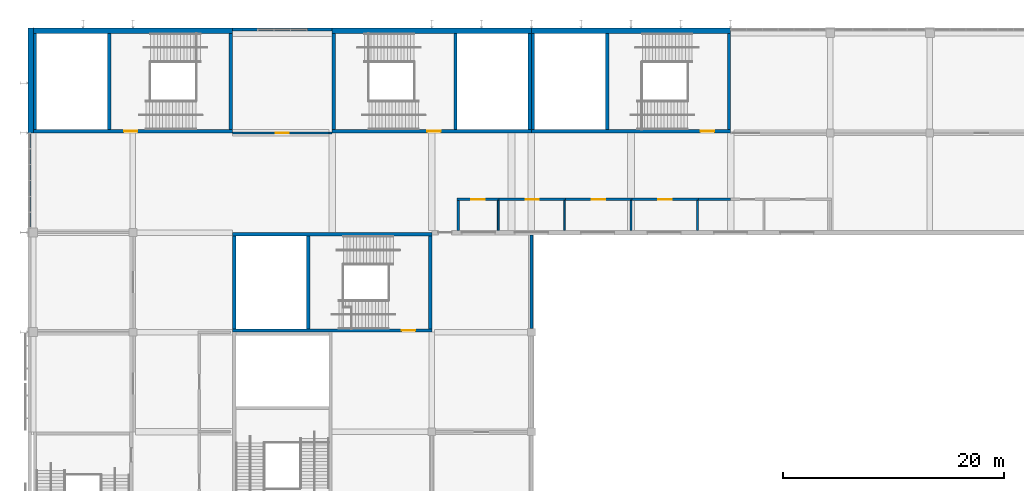
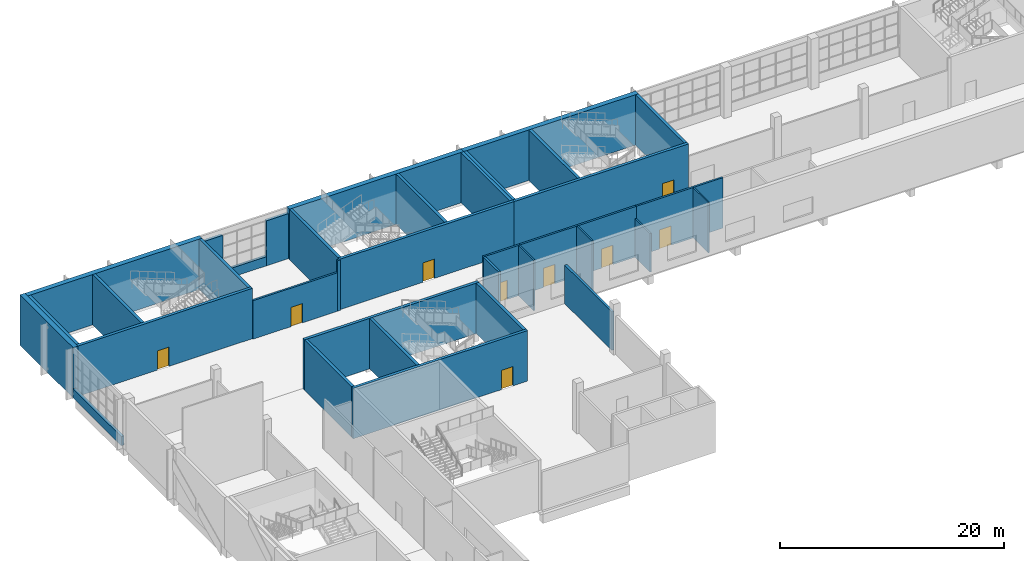
# One storey, part 38 of 84: 38 walls, 9 doors, 9 openings.
"""IFC4 building model written with IfcOpenShell, lengths in metres."""

from ifc_helpers import new_model, si_unit, direction, frame, frame_2d, origin, place, context, subcontext, project, spatial, rectangle, extrude, material, layer, layer_set, type_object, element, fill, save


model = new_model("IFC4")

# Units and contexts
model_context = context("Model", 3, precision=1e-05, world=origin(), true_north=direction((0.0, 1.0)))
body_context = subcontext(model_context, "Body", "Model", "MODEL_VIEW")
ifc_project = project(units=[si_unit("LENGTHUNIT", "METRE"), si_unit("AREAUNIT", "SQUARE_METRE"), si_unit("VOLUMEUNIT", "CUBIC_METRE"), si_unit("PLANEANGLEUNIT", "RADIAN"), si_unit("MASSUNIT", "GRAM", prefix="KILO")], contexts=[model_context])

# Site, building, storey
site_placement = place(None, origin())
site = spatial("IfcSite", under=ifc_project, at=site_placement, CompositionType="ELEMENT")
building_placement = place(site_placement, origin())
building = spatial("IfcBuilding", under=site, at=building_placement, Name="Silverbay Arena", CompositionType="ELEMENT")
storey_placement = place(building_placement, frame((0.0, 0.0, 28.0)))
storey = spatial("IfcBuildingStorey", under=building, at=storey_placement, Name="L04", CompositionType="ELEMENT", Elevation=28.0)

# Walls
ifc_material_1 = material(Name="Anodised aluminium cladding on insulated backing", Category="aluminium")
ifc_layer_1 = layer(ifc_material_1, 0.300048828125)
ifc_layer_set_1 = layer_set([ifc_layer_1], Name="Anodised aluminium cladding on insulated backing")
wall_type_1 = type_object("IfcWallType", Name="Aluminium clad wall 300", PredefinedType="SOLIDWALL", material=ifc_layer_set_1)
for number, where, z_axis, x_axis, name in (
    (1, (74.25, 144.35009765625, 0.0), (0.0, 0.0, 1.0), (-1.0, 0.0, 0.0), "North external wall L04 bay 3 pier"),
    (2, (81.0, 144.35009765625, 0.0), (0.0, 0.0, 1.0), (-1.0, 0.0, 0.0), "North external wall L04 bay 3 pier"),
):
    element("IfcWall", number, at=place(storey_placement, frame(where, z_axis=z_axis, x_axis=x_axis)), inside=storey, type_object=wall_type_1, Name=name, PredefinedType="SOLIDWALL", context=body_context, shape_type="SweptSolid", body=[
        extrude(rectangle(XDim=2.25, YDim=0.300048828125, at=frame_2d((1.125, 0.0))), origin(), (0.0, 0.0, 1.0), 4.89990234375),
    ])
wall_1_placement = place(storey_placement, frame((78.75, 144.35009765625, 0.0), z_axis=(0.0, 0.0, 1.0), x_axis=(-1.0, 0.0, 0.0)))
element("IfcWall", 3, at=wall_1_placement, inside=storey, type_object=wall_type_1, Name="North external wall L04 bay 3 sill wall", PredefinedType="SOLIDWALL", context=body_context, shape_type="SweptSolid", body=[
    extrude(rectangle(XDim=4.5, YDim=0.300048828125, at=frame_2d((2.25, 0.0))), origin(), (0.0, 0.0, 1.0), 1.0),
])
wall_2_placement = place(storey_placement, frame((53.64990234375, 135.0, 0.0), z_axis=(0.0, 0.0, 1.0), x_axis=(0.0, -1.0, 0.0)))
element("IfcWall", 4, at=wall_2_placement, inside=storey, type_object=wall_type_1, Name="West sill wall L04 bay 13", PredefinedType="SOLIDWALL", context=body_context, shape_type="SweptSolid", body=[
    extrude(rectangle(XDim=8.60009765625, YDim=0.300048828125, at=frame_2d((4.300048828125, 0.0))), origin(), (0.0, 0.0, 1.0), 1.0),
])
ifc_material_2 = material(Name="Concrete Grade C45", Category="concrete")
ifc_layer_2 = layer(ifc_material_2, 0.25)
ifc_layer_set_2 = layer_set([ifc_layer_2], Name="Concrete Grade C45")
wall_type_2 = type_object("IfcWallType", Name="Bowl enclosure wall RC 250 EI 120", PredefinedType="SOLIDWALL", material=ifc_layer_set_2)
wall_3_placement = place(storey_placement, frame((99.0, 117.35009765625, 0.0), z_axis=(0.0, 0.0, 1.0), x_axis=(0.0, 1.0, 0.0)))
element("IfcWall", 5, at=wall_3_placement, inside=storey, type_object=wall_type_2, Name="Bowl enclosure wall, corner block NW-x", PredefinedType="SOLIDWALL", context=body_context, shape_type="SweptSolid", body=[
    extrude(rectangle(XDim=8.449951171875, YDim=0.25, at=frame_2d((4.22509765625, 0.0))), origin(), (0.0, 0.0, 1.0), 4.199951171875),
])

# Wall, opening, door
ifc_material_3 = material(Name="Concrete Grade C45", Category="concrete")
ifc_layer_3 = layer(ifc_material_3, 0.300048828125)
ifc_layer_set_3 = layer_set([ifc_layer_3], Name="Concrete Grade C45")
wall_type_3 = type_object("IfcWallType", Name="Core wall RC 300 EI 120", PredefinedType="SHEAR", material=ifc_layer_set_3)
wall_4_placement = place(storey_placement, frame((81.0, 135.14990234375, 0.0), z_axis=(0.0, 0.0, 1.0), x_axis=(1.0, 0.0, 0.0)))
wall_4 = element("IfcWall", 6, at=wall_4_placement, inside=storey, type_object=wall_type_3, Name="Core wall ST-N1 L04 door side", PredefinedType="SHEAR", context=body_context, shape_type="SweptSolid", body=[
    extrude(rectangle(XDim=18.0, YDim=0.300048828125, at=frame_2d((9.0, 0.0))), origin(), (0.0, 0.0, 1.0), 5.5),
])
opening_1_placement = place(wall_4_placement, frame((8.60009765625, 0.0, 0.0)))
opening_1 = element("IfcOpeningElement", 7, at=opening_1_placement, cuts=wall_4, Name="Opening L04-059", PredefinedType="OPENING", context=body_context, shape_type="SweptSolid", body=[
    extrude(rectangle(XDim=1.199951171875, YDim=2.10009765625, at=frame_2d((0.60009765625, 1.050048828125))), frame((0.0, 0.16015625, 0.0), z_axis=(0.0, -1.0, 0.0), x_axis=(1.0, 0.0, 0.0)), (0.0, 0.0, 1.0), 0.320068359375),
])
ifc_material_4 = material(Name="Steel fire door", Category="steel")
door_type_1 = type_object("IfcDoorType", Name="Stair door 1200 x 2100 fire door", OperationType="SINGLE_SWING_LEFT", PredefinedType="DOOR", material=ifc_material_4)
door_1_placement = place(opening_1_placement, origin())
door_1 = element("IfcDoor", 8, at=door_1_placement, inside=storey, type_object=door_type_1, Name="Stair door ST-N1 L04", OperationType="SINGLE_SWING_RIGHT", OverallHeight=2.10009765625, OverallWidth=1.199951171875, PredefinedType="DOOR", context=body_context, shape_type="SweptSolid", body=[
    extrude(rectangle(XDim=1.199951171875, YDim=2.10009765625, at=frame_2d((0.60009765625, 1.050048828125))), frame((0.0, 0.02490234375, 0.0), z_axis=(0.0, -1.0, 0.0), x_axis=(1.0, 0.0, 0.0)), (0.0, 0.0, 1.0), 0.050048828125),
])
fill(opening_1, door_1)

# Walls
for number, where, z_axis, x_axis, name in (
    (9, (81.14990234375, 135.300048828125, 0.0), (0.0, 0.0, 1.0), (0.0, 1.0, 0.0), "Core wall ST-N1 L04 end 1"),
    (10, (98.85009765625, 135.300048828125, 0.0), (0.0, 0.0, 1.0), (0.0, 1.0, 0.0), "Core wall ST-N1 L04 end 2"),
    (11, (92.14990234375, 135.300048828125, 0.0), (0.0, 0.0, 1.0), (0.0, 1.0, 0.0), "Core wall ST-N1 L04 stair enclosure"),
):
    element("IfcWall", number, at=place(storey_placement, frame(where, z_axis=z_axis, x_axis=x_axis)), inside=storey, type_object=wall_type_3, Name=name, PredefinedType="SHEAR", context=body_context, shape_type="SweptSolid", body=[
        extrude(rectangle(XDim=8.699951171875, YDim=0.300048828125, at=frame_2d((4.35009765625, 0.0))), origin(), (0.0, 0.0, 1.0), 5.5),
    ])

# Wall, opening, door
wall_5_placement = place(storey_placement, frame((117.0, 135.14990234375, 0.0), z_axis=(0.0, 0.0, 1.0), x_axis=(-1.0, 0.0, 0.0)))
wall_5 = element("IfcWall", 12, at=wall_5_placement, inside=storey, type_object=wall_type_3, Name="Core wall ST-N2 L04 door side", PredefinedType="SHEAR", context=body_context, shape_type="SweptSolid", body=[
    extrude(rectangle(XDim=18.0, YDim=0.300048828125, at=frame_2d((9.0, 0.0))), origin(), (0.0, 0.0, 1.0), 5.5),
])
opening_2_placement = place(wall_5_placement, frame((1.5, 0.0, 0.0)))
opening_2 = element("IfcOpeningElement", 13, at=opening_2_placement, cuts=wall_5, Name="Opening L04-060", PredefinedType="OPENING", context=body_context, shape_type="SweptSolid", body=[
    extrude(rectangle(XDim=1.199951171875, YDim=2.10009765625, at=frame_2d((0.60009765625, 1.050048828125))), frame((0.0, 0.16015625, 0.0), z_axis=(0.0, -1.0, 0.0), x_axis=(1.0, 0.0, 0.0)), (0.0, 0.0, 1.0), 0.320068359375),
])
door_2_placement = place(opening_2_placement, frame((1.199951171875, 0.0, 0.0), z_axis=(0.0, 0.0, 1.0), x_axis=(-1.0, 0.0, 0.0)))
door_2 = element("IfcDoor", 14, at=door_2_placement, inside=storey, type_object=door_type_1, Name="Stair door ST-N2 L04", OperationType="SINGLE_SWING_RIGHT", OverallHeight=2.10009765625, OverallWidth=1.199951171875, PredefinedType="DOOR", context=body_context, shape_type="SweptSolid", body=[
    extrude(rectangle(XDim=1.199951171875, YDim=2.10009765625, at=frame_2d((0.60009765625, 1.050048828125))), frame((0.0, 0.02490234375, 0.0), z_axis=(0.0, -1.0, 0.0), x_axis=(1.0, 0.0, 0.0)), (0.0, 0.0, 1.0), 0.050048828125),
])
fill(opening_2, door_2)

# Walls
for number, where, z_axis, x_axis, name in (
    (15, (116.85009765625, 135.300048828125, 0.0), (0.0, 0.0, 1.0), (0.0, 1.0, 0.0), "Core wall ST-N2 L04 end 1"),
    (16, (99.14990234375, 135.300048828125, 0.0), (0.0, 0.0, 1.0), (0.0, 1.0, 0.0), "Core wall ST-N2 L04 end 2"),
    (17, (105.85009765625, 135.300048828125, 0.0), (0.0, 0.0, 1.0), (0.0, 1.0, 0.0), "Core wall ST-N2 L04 stair enclosure"),
):
    element("IfcWall", number, at=place(storey_placement, frame(where, z_axis=z_axis, x_axis=x_axis)), inside=storey, type_object=wall_type_3, Name=name, PredefinedType="SHEAR", context=body_context, shape_type="SweptSolid", body=[
        extrude(rectangle(XDim=8.699951171875, YDim=0.300048828125, at=frame_2d((4.35009765625, 0.0))), origin(), (0.0, 0.0, 1.0), 5.5),
    ])

# Wall, opening, door
wall_6_placement = place(storey_placement, frame((72.0, 135.14990234375, 0.0), z_axis=(0.0, 0.0, 1.0), x_axis=(-1.0, 0.0, 0.0)))
wall_6 = element("IfcWall", 18, at=wall_6_placement, inside=storey, type_object=wall_type_3, Name="Core wall ST-N5 L04 door side", PredefinedType="SHEAR", context=body_context, shape_type="SweptSolid", body=[
    extrude(rectangle(XDim=18.0, YDim=0.300048828125, at=frame_2d((9.0, 0.0))), origin(), (0.0, 0.0, 1.0), 5.5),
])
opening_3_placement = place(wall_6_placement, frame((8.60009765625, 0.0, 0.0)))
opening_3 = element("IfcOpeningElement", 19, at=opening_3_placement, cuts=wall_6, Name="Opening L04-065", PredefinedType="OPENING", context=body_context, shape_type="SweptSolid", body=[
    extrude(rectangle(XDim=1.199951171875, YDim=2.10009765625, at=frame_2d((0.60009765625, 1.050048828125))), frame((0.0, 0.16015625, 0.0), z_axis=(0.0, -1.0, 0.0), x_axis=(1.0, 0.0, 0.0)), (0.0, 0.0, 1.0), 0.320068359375),
])
door_3_placement = place(opening_3_placement, frame((1.199951171875, 0.0, 0.0), z_axis=(0.0, 0.0, 1.0), x_axis=(-1.0, 0.0, 0.0)))
door_3 = element("IfcDoor", 20, at=door_3_placement, inside=storey, type_object=door_type_1, Name="Stair door ST-N5 L04", OperationType="SINGLE_SWING_LEFT", OverallHeight=2.10009765625, OverallWidth=1.199951171875, PredefinedType="DOOR", context=body_context, shape_type="SweptSolid", body=[
    extrude(rectangle(XDim=1.199951171875, YDim=2.10009765625, at=frame_2d((0.60009765625, 1.050048828125))), frame((0.0, 0.02490234375, 0.0), z_axis=(0.0, -1.0, 0.0), x_axis=(1.0, 0.0, 0.0)), (0.0, 0.0, 1.0), 0.050048828125),
])
fill(opening_3, door_3)

# Walls
for number, where, z_axis, x_axis, name in (
    (21, (71.85009765625, 135.300048828125, 0.0), (0.0, 0.0, 1.0), (0.0, 1.0, 0.0), "Core wall ST-N5 L04 end 1"),
    (22, (54.14990234375, 135.300048828125, 0.0), (0.0, 0.0, 1.0), (0.0, 1.0, 0.0), "Core wall ST-N5 L04 end 2"),
    (23, (60.85009765625, 135.300048828125, 0.0), (0.0, 0.0, 1.0), (0.0, 1.0, 0.0), "Core wall ST-N5 L04 stair enclosure"),
):
    element("IfcWall", number, at=place(storey_placement, frame(where, z_axis=z_axis, x_axis=x_axis)), inside=storey, type_object=wall_type_3, Name=name, PredefinedType="SHEAR", context=body_context, shape_type="SweptSolid", body=[
        extrude(rectangle(XDim=8.699951171875, YDim=0.300048828125, at=frame_2d((4.35009765625, 0.0))), origin(), (0.0, 0.0, 1.0), 5.5),
    ])

# Wall, opening, door
wall_7_placement = place(storey_placement, frame((90.0, 117.14990234375, 0.0), z_axis=(0.0, 0.0, 1.0), x_axis=(-1.0, 0.0, 0.0)))
wall_7 = element("IfcWall", 24, at=wall_7_placement, inside=storey, type_object=wall_type_3, Name="Core wall ST-NW1 L04 door side", PredefinedType="SHEAR", context=body_context, shape_type="SweptSolid", body=[
    extrude(rectangle(XDim=18.0, YDim=0.300048828125, at=frame_2d((9.0, 0.0))), origin(), (0.0, 0.0, 1.0), 5.5),
])
opening_4_placement = place(wall_7_placement, frame((1.5, 0.0, 0.0)))
opening_4 = element("IfcOpeningElement", 25, at=opening_4_placement, cuts=wall_7, Name="Opening L04-075", PredefinedType="OPENING", context=body_context, shape_type="SweptSolid", body=[
    extrude(rectangle(XDim=1.199951171875, YDim=2.10009765625, at=frame_2d((0.60009765625, 1.050048828125))), frame((0.0, 0.16015625, 0.0), z_axis=(0.0, -1.0, 0.0), x_axis=(1.0, 0.0, 0.0)), (0.0, 0.0, 1.0), 0.320068359375),
])
door_4_placement = place(opening_4_placement, frame((1.199951171875, 0.0, 0.0), z_axis=(0.0, 0.0, 1.0), x_axis=(-1.0, 0.0, 0.0)))
door_4 = element("IfcDoor", 26, at=door_4_placement, inside=storey, type_object=door_type_1, Name="Stair door ST-NW1 L04", OperationType="SINGLE_SWING_RIGHT", OverallHeight=2.10009765625, OverallWidth=1.199951171875, PredefinedType="DOOR", context=body_context, shape_type="SweptSolid", body=[
    extrude(rectangle(XDim=1.199951171875, YDim=2.10009765625, at=frame_2d((0.60009765625, 1.050048828125))), frame((0.0, 0.02490234375, 0.0), z_axis=(0.0, -1.0, 0.0), x_axis=(1.0, 0.0, 0.0)), (0.0, 0.0, 1.0), 0.050048828125),
])
fill(opening_4, door_4)

# Walls
wall_8_placement = place(storey_placement, frame((90.0, 125.85009765625, 0.0), z_axis=(0.0, 0.0, 1.0), x_axis=(-1.0, 0.0, 0.0)))
element("IfcWall", 27, at=wall_8_placement, inside=storey, type_object=wall_type_3, Name="Core wall ST-NW1 L04 far side", PredefinedType="SHEAR", context=body_context, shape_type="SweptSolid", body=[
    extrude(rectangle(XDim=18.0, YDim=0.300048828125, at=frame_2d((9.0, 0.0))), origin(), (0.0, 0.0, 1.0), 5.5),
])
for number, where, z_axis, x_axis, name in (
    (28, (89.85009765625, 117.300048828125, 0.0), (0.0, 0.0, 1.0), (0.0, 1.0, 0.0), "Core wall ST-NW1 L04 end 1"),
    (29, (72.14990234375, 117.300048828125, 0.0), (0.0, 0.0, 1.0), (0.0, 1.0, 0.0), "Core wall ST-NW1 L04 end 2"),
    (30, (78.85009765625, 117.300048828125, 0.0), (0.0, 0.0, 1.0), (0.0, 1.0, 0.0), "Core wall ST-NW1 L04 stair enclosure"),
):
    element("IfcWall", number, at=place(storey_placement, frame(where, z_axis=z_axis, x_axis=x_axis)), inside=storey, type_object=wall_type_3, Name=name, PredefinedType="SHEAR", context=body_context, shape_type="SweptSolid", body=[
        extrude(rectangle(XDim=8.39990234375, YDim=0.300048828125, at=frame_2d((4.199951171875, 0.0))), origin(), (0.0, 0.0, 1.0), 5.5),
    ])
ifc_material_5 = material(Name="Concrete Grade C45", Category="concrete")
ifc_layer_4 = layer(ifc_material_5, 0.5)
ifc_layer_set_4 = layer_set([ifc_layer_4], Name="Concrete Grade C45")
wall_type_4 = type_object("IfcWallType", Name="Core wall RC 500 external EI 120", PredefinedType="SHEAR", material=ifc_layer_set_4)
for number, where, z_axis, x_axis, name in (
    (31, (81.0, 144.25, 0.0), (0.0, 0.0, 1.0), (1.0, 0.0, 0.0), "Core wall ST-N1 L04 facade side"),
    (32, (117.0, 144.25, 0.0), (0.0, 0.0, 1.0), (-1.0, 0.0, 0.0), "Core wall ST-N2 L04 facade side"),
    (33, (72.0, 144.25, 0.0), (0.0, 0.0, 1.0), (-1.0, 0.0, 0.0), "Core wall ST-N5 L04 facade side"),
):
    element("IfcWall", number, at=place(storey_placement, frame(where, z_axis=z_axis, x_axis=x_axis)), inside=storey, type_object=wall_type_4, Name=name, PredefinedType="SHEAR", context=body_context, shape_type="SweptSolid", body=[
        extrude(rectangle(XDim=18.0, YDim=0.5, at=frame_2d((9.0, 0.0))), origin(), (0.0, 0.0, 1.0), 5.5),
    ])
ifc_material_6 = material(Name="Gypsum board partition on steel studs", Category="steel")
ifc_layer_5 = layer(ifc_material_6, 0.14990234375)
ifc_layer_set_5 = layer_set([ifc_layer_5], Name="Gypsum board partition on steel studs")
wall_type_5 = type_object("IfcWallType", Name="Partition 150 EI 60", PredefinedType="PARTITIONING", material=ifc_layer_set_5)
for number, where, z_axis, x_axis, name in (
    (34, (96.0, 126.199951171875, 0.0), (0.0, 0.0, 1.0), (0.0, 1.0, 0.0), "Partition wall"),
    (35, (102.0, 126.199951171875, 0.0), (0.0, 0.0, 1.0), (0.0, 1.0, 0.0), "Partition wall"),
):
    element("IfcWall", number, at=place(storey_placement, frame(where, z_axis=z_axis, x_axis=x_axis)), inside=storey, type_object=wall_type_5, Name=name, PredefinedType="PARTITIONING", context=body_context, shape_type="SweptSolid", body=[
        extrude(rectangle(XDim=2.699951171875, YDim=0.14990234375, at=frame_2d((1.35009765625, 0.0))), origin(), (0.0, 0.0, 1.0), 5.5),
    ])
wall_9_placement = place(storey_placement, frame((108.0, 126.199951171875, 0.0), z_axis=(0.0, 0.0, 1.0), x_axis=(0.0, 1.0, 0.0)))
element("IfcWall", 36, at=wall_9_placement, inside=storey, type_object=wall_type_5, Name="Partition wall", PredefinedType="PARTITIONING", context=body_context, shape_type="SweptSolid", body=[
    extrude(rectangle(XDim=2.699951171875, YDim=0.14990234375, at=frame_2d((1.35009765625, 0.0))), origin(), (0.0, 0.0, 1.0), 4.199951171875),
])
wall_10_placement = place(storey_placement, frame((114.0, 126.199951171875, 0.0), z_axis=(0.0, 0.0, 1.0), x_axis=(0.0, 1.0, 0.0)))
element("IfcWall", 37, at=wall_10_placement, inside=storey, type_object=wall_type_5, Name="Partition wall", PredefinedType="PARTITIONING", context=body_context, shape_type="SweptSolid", body=[
    extrude(rectangle(XDim=2.699951171875, YDim=0.14990234375, at=frame_2d((1.35009765625, 0.0))), origin(), (0.0, 0.0, 1.0), 5.5),
])

# Wall, opening, door
ifc_material_7 = material(Name="Masonry blockwork partition", Category="masonry")
ifc_layer_6 = layer(ifc_material_7, 0.199951171875)
ifc_layer_set_6 = layer_set([ifc_layer_6], Name="Masonry blockwork partition")
wall_type_6 = type_object("IfcWallType", Name="Partition 200 EI 120", PredefinedType="PARTITIONING", material=ifc_layer_set_6)
wall_11_placement = place(storey_placement, frame((92.300048828125, 129.0, 0.0), z_axis=(0.0, 0.0, 1.0), x_axis=(1.0, 0.0, 0.0)))
wall_11 = element("IfcWall", 38, at=wall_11_placement, inside=storey, type_object=wall_type_6, Name="Partition wall", PredefinedType="PARTITIONING", context=body_context, shape_type="SweptSolid", body=[
    extrude(rectangle(XDim=3.77490234375, YDim=0.199951171875, at=frame_2d((1.887451171875, 0.0))), origin(), (0.0, 0.0, 1.0), 5.5),
])
opening_5_placement = place(wall_11_placement, frame((1.2880859375, 0.0, 0.0)))
opening_5 = element("IfcOpeningElement", 39, at=opening_5_placement, cuts=wall_11, Name="Opening L04-032", PredefinedType="OPENING", context=body_context, shape_type="SweptSolid", body=[
    extrude(rectangle(XDim=1.199951171875, YDim=2.10009765625, at=frame_2d((0.60009765625, 1.050048828125))), frame((0.0, 0.10986328125, 0.0), z_axis=(0.0, -1.0, 0.0), x_axis=(1.0, 0.0, 0.0)), (0.0, 0.0, 1.0), 0.219970703125),
])
ifc_material_8 = material(Name="Steel faced timber", Category="steel")
door_type_2 = type_object("IfcDoorType", Name="Single leaf door 1200 x 2100 FD120", OperationType="SINGLE_SWING_LEFT", PredefinedType="DOOR", material=ifc_material_8)
door_5_placement = place(opening_5_placement, frame((1.199951171875, 0.0, 0.0), z_axis=(0.0, 0.0, 1.0), x_axis=(-1.0, 0.0, 0.0)))
door_5 = element("IfcDoor", 40, at=door_5_placement, inside=storey, type_object=door_type_2, Name="Door L04-032", OperationType="SINGLE_SWING_LEFT", OverallHeight=2.10009765625, OverallWidth=1.199951171875, PredefinedType="DOOR", context=body_context, shape_type="SweptSolid", body=[
    extrude(rectangle(XDim=1.199951171875, YDim=2.10009765625, at=frame_2d((0.60009765625, 1.050048828125))), frame((0.0, 0.02490234375, 0.0), z_axis=(0.0, -1.0, 0.0), x_axis=(1.0, 0.0, 0.0)), (0.0, 0.0, 1.0), 0.050048828125),
])
fill(opening_5, door_5)

wall_12_placement = place(storey_placement, frame((96.074951171875, 129.0, 0.0), z_axis=(0.0, 0.0, 1.0), x_axis=(1.0, 0.0, 0.0)))
wall_12 = element("IfcWall", 41, at=wall_12_placement, inside=storey, type_object=wall_type_6, Name="Partition wall", PredefinedType="PARTITIONING", context=body_context, shape_type="SweptSolid", body=[
    extrude(rectangle(XDim=6.0, YDim=0.199951171875, at=frame_2d((3.0, 0.0))), origin(), (0.0, 0.0, 1.0), 5.5),
])
opening_6_placement = place(wall_12_placement, frame((2.39990234375, 0.0, 0.0)))
opening_6 = element("IfcOpeningElement", 42, at=opening_6_placement, cuts=wall_12, Name="Opening L04-033", PredefinedType="OPENING", context=body_context, shape_type="SweptSolid", body=[
    extrude(rectangle(XDim=1.199951171875, YDim=2.10009765625, at=frame_2d((0.60009765625, 1.050048828125))), frame((0.0, 0.10986328125, 0.0), z_axis=(0.0, -1.0, 0.0), x_axis=(1.0, 0.0, 0.0)), (0.0, 0.0, 1.0), 0.219970703125),
])
door_6_placement = place(opening_6_placement, frame((1.199951171875, 0.0, 0.0), z_axis=(0.0, 0.0, 1.0), x_axis=(-1.0, 0.0, 0.0)))
door_6 = element("IfcDoor", 43, at=door_6_placement, inside=storey, type_object=door_type_2, Name="Door L04-033", OperationType="SINGLE_SWING_RIGHT", OverallHeight=2.10009765625, OverallWidth=1.199951171875, PredefinedType="DOOR", context=body_context, shape_type="SweptSolid", body=[
    extrude(rectangle(XDim=1.199951171875, YDim=2.10009765625, at=frame_2d((0.60009765625, 1.050048828125))), frame((0.0, 0.02490234375, 0.0), z_axis=(0.0, -1.0, 0.0), x_axis=(1.0, 0.0, 0.0)), (0.0, 0.0, 1.0), 0.050048828125),
])
fill(opening_6, door_6)

wall_13_placement = place(storey_placement, frame((102.074951171875, 129.0, 0.0), z_axis=(0.0, 0.0, 1.0), x_axis=(1.0, 0.0, 0.0)))
wall_13 = element("IfcWall", 44, at=wall_13_placement, inside=storey, type_object=wall_type_6, Name="Partition wall", PredefinedType="PARTITIONING", context=body_context, shape_type="SweptSolid", body=[
    extrude(rectangle(XDim=6.0, YDim=0.199951171875, at=frame_2d((3.0, 0.0))), origin(), (0.0, 0.0, 1.0), 5.5),
])
opening_7_placement = place(wall_13_placement, frame((2.39990234375, 0.0, 0.0)))
opening_7 = element("IfcOpeningElement", 45, at=opening_7_placement, cuts=wall_13, Name="Opening L04-034", PredefinedType="OPENING", context=body_context, shape_type="SweptSolid", body=[
    extrude(rectangle(XDim=1.199951171875, YDim=2.10009765625, at=frame_2d((0.60009765625, 1.050048828125))), frame((0.0, 0.10986328125, 0.0), z_axis=(0.0, -1.0, 0.0), x_axis=(1.0, 0.0, 0.0)), (0.0, 0.0, 1.0), 0.219970703125),
])
door_7_placement = place(opening_7_placement, frame((1.199951171875, 0.0, 0.0), z_axis=(0.0, 0.0, 1.0), x_axis=(-1.0, 0.0, 0.0)))
door_7 = element("IfcDoor", 46, at=door_7_placement, inside=storey, type_object=door_type_2, Name="Door L04-034", OperationType="SINGLE_SWING_LEFT", OverallHeight=2.10009765625, OverallWidth=1.199951171875, PredefinedType="DOOR", context=body_context, shape_type="SweptSolid", body=[
    extrude(rectangle(XDim=1.199951171875, YDim=2.10009765625, at=frame_2d((0.60009765625, 1.050048828125))), frame((0.0, 0.02490234375, 0.0), z_axis=(0.0, -1.0, 0.0), x_axis=(1.0, 0.0, 0.0)), (0.0, 0.0, 1.0), 0.050048828125),
])
fill(opening_7, door_7)

wall_14_placement = place(storey_placement, frame((108.074951171875, 129.0, 0.0), z_axis=(0.0, 0.0, 1.0), x_axis=(1.0, 0.0, 0.0)))
wall_14 = element("IfcWall", 47, at=wall_14_placement, inside=storey, type_object=wall_type_6, Name="Partition wall", PredefinedType="PARTITIONING", context=body_context, shape_type="SweptSolid", body=[
    extrude(rectangle(XDim=6.0, YDim=0.199951171875, at=frame_2d((3.0, 0.0))), origin(), (0.0, 0.0, 1.0), 5.5),
])
opening_8_placement = place(wall_14_placement, frame((2.39990234375, 0.0, 0.0)))
opening_8 = element("IfcOpeningElement", 48, at=opening_8_placement, cuts=wall_14, Name="Opening L04-035", PredefinedType="OPENING", context=body_context, shape_type="SweptSolid", body=[
    extrude(rectangle(XDim=1.199951171875, YDim=2.10009765625, at=frame_2d((0.60009765625, 1.050048828125))), frame((0.0, 0.10986328125, 0.0), z_axis=(0.0, -1.0, 0.0), x_axis=(1.0, 0.0, 0.0)), (0.0, 0.0, 1.0), 0.219970703125),
])
door_8_placement = place(opening_8_placement, frame((1.199951171875, 0.0, 0.0), z_axis=(0.0, 0.0, 1.0), x_axis=(-1.0, 0.0, 0.0)))
door_8 = element("IfcDoor", 49, at=door_8_placement, inside=storey, type_object=door_type_2, Name="Door L04-035", OperationType="SINGLE_SWING_RIGHT", OverallHeight=2.10009765625, OverallWidth=1.199951171875, PredefinedType="DOOR", context=body_context, shape_type="SweptSolid", body=[
    extrude(rectangle(XDim=1.199951171875, YDim=2.10009765625, at=frame_2d((0.60009765625, 1.050048828125))), frame((0.0, 0.02490234375, 0.0), z_axis=(0.0, -1.0, 0.0), x_axis=(1.0, 0.0, 0.0)), (0.0, 0.0, 1.0), 0.050048828125),
])
fill(opening_8, door_8)

# Wall
wall_15_placement = place(storey_placement, frame((114.074951171875, 129.0, 0.0), z_axis=(0.0, 0.0, 1.0), x_axis=(1.0, 0.0, 0.0)))
element("IfcWall", 50, at=wall_15_placement, inside=storey, type_object=wall_type_6, Name="Partition wall", PredefinedType="PARTITIONING", context=body_context, shape_type="SweptSolid", body=[
    extrude(rectangle(XDim=2.925048828125, YDim=0.199951171875, at=frame_2d((1.46240234375, 0.0))), origin(), (0.0, 0.0, 1.0), 5.5),
])

# Wall, opening, door
wall_16_placement = place(storey_placement, frame((72.0, 135.0, 0.0), z_axis=(0.0, 0.0, 1.0), x_axis=(1.0, 0.0, 0.0)))
wall_16 = element("IfcWall", 51, at=wall_16_placement, inside=storey, type_object=wall_type_6, Name="Partition wall", PredefinedType="PARTITIONING", context=body_context, shape_type="SweptSolid", body=[
    extrude(rectangle(XDim=8.699951171875, YDim=0.199951171875, at=frame_2d((4.35009765625, 0.0))), origin(), (0.0, 0.0, 1.0), 4.199951171875),
])
opening_9_placement = place(wall_16_placement, frame((3.89990234375, 0.0, 0.0)))
opening_9 = element("IfcOpeningElement", 52, at=opening_9_placement, cuts=wall_16, Name="Opening L04-004", PredefinedType="OPENING", context=body_context, shape_type="SweptSolid", body=[
    extrude(rectangle(XDim=1.199951171875, YDim=2.10009765625, at=frame_2d((0.60009765625, 1.050048828125))), frame((0.0, 0.10986328125, 0.0), z_axis=(0.0, -1.0, 0.0), x_axis=(1.0, 0.0, 0.0)), (0.0, 0.0, 1.0), 0.219970703125),
])
door_9_placement = place(opening_9_placement, origin())
door_9 = element("IfcDoor", 53, at=door_9_placement, inside=storey, type_object=door_type_2, Name="Door L04-004", OperationType="SINGLE_SWING_RIGHT", OverallHeight=2.10009765625, OverallWidth=1.199951171875, PredefinedType="DOOR", context=body_context, shape_type="SweptSolid", body=[
    extrude(rectangle(XDim=1.199951171875, YDim=2.10009765625, at=frame_2d((0.60009765625, 1.050048828125))), frame((0.0, 0.02490234375, 0.0), z_axis=(0.0, -1.0, 0.0), x_axis=(1.0, 0.0, 0.0)), (0.0, 0.0, 1.0), 0.050048828125),
])
fill(opening_9, door_9)

# Walls
wall_17_placement = place(storey_placement, frame((92.39990234375, 126.199951171875, 0.0), z_axis=(0.0, 0.0, 1.0), x_axis=(0.0, 1.0, 0.0)))
element("IfcWall", 54, at=wall_17_placement, inside=storey, type_object=wall_type_6, Name="Partition wall", PredefinedType="PARTITIONING", context=body_context, shape_type="SweptSolid", body=[
    extrude(rectangle(XDim=2.699951171875, YDim=0.199951171875, at=frame_2d((1.35009765625, 0.0))), origin(), (0.0, 0.0, 1.0), 5.5),
])
wall_18_placement = place(storey_placement, frame((80.699951171875, 135.0, 0.0), z_axis=(0.0, 0.0, 1.0), x_axis=(1.0, 0.0, 0.0)))
element("IfcWall", 55, at=wall_18_placement, inside=storey, type_object=wall_type_6, Name="Partition wall", PredefinedType="PARTITIONING", context=body_context, shape_type="SweptSolid", body=[
    extrude(rectangle(XDim=0.300048828125, YDim=0.199951171875, at=frame_2d((0.14990234375, 0.0))), origin(), (0.0, 0.0, 1.0), 5.5),
])
ifc_material_9 = material(Name="Concrete Grade C45", Category="concrete")
ifc_layer_7 = layer(ifc_material_9, 0.5)
ifc_layer_set_7 = layer_set([ifc_layer_7], Name="Concrete Grade C45")
wall_type_7 = type_object("IfcWallType", Name="Stair core facade wall 500", PredefinedType="SOLIDWALL", material=ifc_layer_set_7)
wall_19_placement = place(storey_placement, frame((53.75, 144.5, 0.0), z_axis=(0.0, 0.0, 1.0), x_axis=(0.0, -1.0, 0.0)))
element("IfcWall", 56, at=wall_19_placement, inside=storey, type_object=wall_type_7, Name="West stair core facade wall L04 bay 14", PredefinedType="SOLIDWALL", context=body_context, shape_type="SweptSolid", body=[
    extrude(rectangle(XDim=9.5, YDim=0.5, at=frame_2d((4.75, 0.0))), origin(), (0.0, 0.0, 1.0), 5.5),
])

save(model, "model.ifc")
